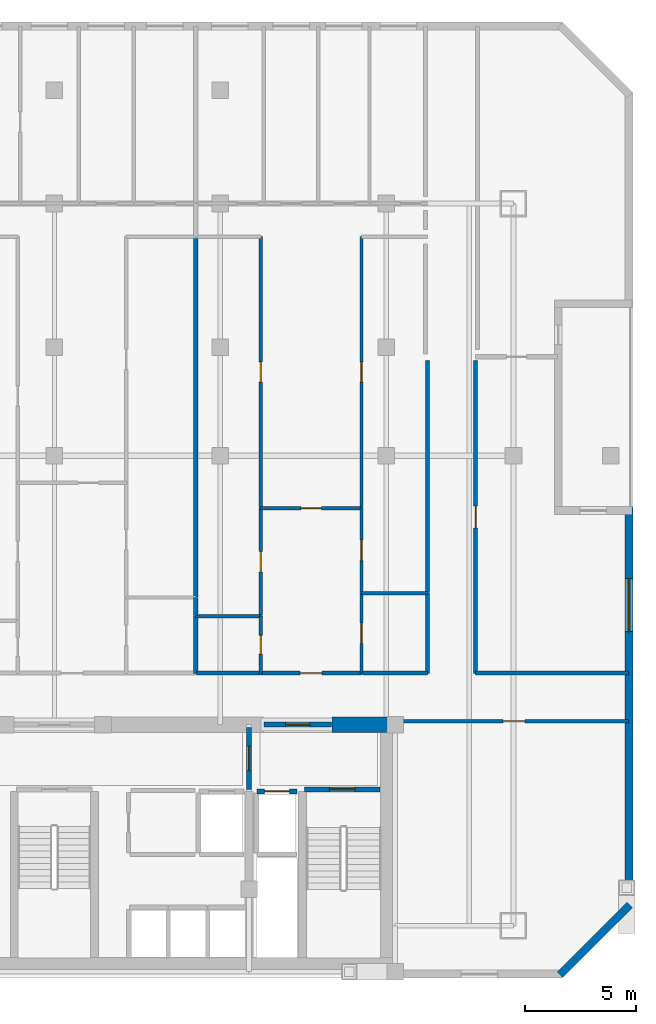
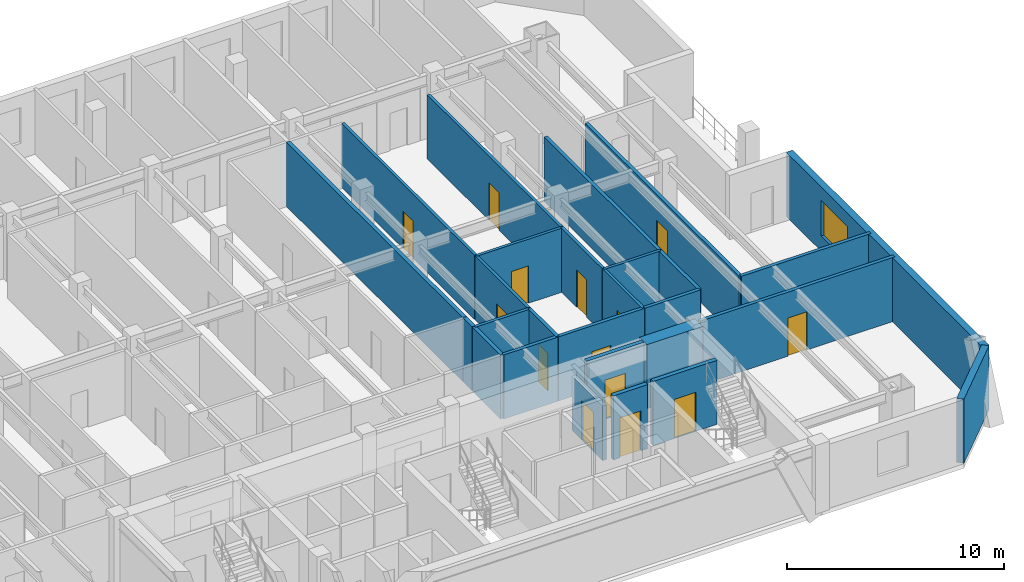
# One storey, part 5 of 10: 27 walls, 14 doors, 1 window, 15 openings.
"""IFC4 building model written with IfcOpenShell, lengths in metres."""

from ifc_helpers import new_model, si_unit, direction, frame, frame_2d, origin, place, context, subcontext, project, spatial, rectangle, extrude, material, layer, layer_set, type_object, element, fill, save


model = new_model("IFC4")

# Units and contexts
model_context = context("Model", 3, precision=1e-05, world=origin(), true_north=direction((0.0, 1.0)))
body_context = subcontext(model_context, "Body", "Model", "MODEL_VIEW")
ifc_project = project(units=[si_unit("LENGTHUNIT", "METRE"), si_unit("AREAUNIT", "SQUARE_METRE"), si_unit("VOLUMEUNIT", "CUBIC_METRE"), si_unit("PLANEANGLEUNIT", "RADIAN"), si_unit("MASSUNIT", "GRAM", prefix="KILO")], contexts=[model_context])

# Site, building, storey
site_placement = place(None, origin())
site = spatial("IfcSite", under=ifc_project, at=site_placement, CompositionType="ELEMENT")
building_placement = place(site_placement, origin())
building = spatial("IfcBuilding", under=site, at=building_placement, Name="Ventersveld Concourse Tower", CompositionType="ELEMENT")
storey_placement = place(building_placement, frame((0.0, 0.0, 123.39990234375)))
storey = spatial("IfcBuildingStorey", under=building, at=storey_placement, Name="L30", CompositionType="ELEMENT", Elevation=123.39990234375)

# Wall
ifc_material_1 = material(Name="Concrete C60/75", Category="concrete")
ifc_layer_1 = layer(ifc_material_1, 0.699951171875)
ifc_layer_set_1 = layer_set([ifc_layer_1], Name="Concrete C60/75")
wall_type_1 = type_object("IfcWallType", Name="WL-CORE-700", PredefinedType="SHEAR", material=ifc_layer_set_1)
wall_1_placement = place(storey_placement, frame((41.300048828125, 11.449951171875, 0.0), z_axis=(0.0, 0.0, 1.0), x_axis=(1.0, 0.0, 0.0)))
element("IfcWall", 1, at=wall_1_placement, inside=storey, type_object=wall_type_1, Name="L30 Rear Core North Shear Wall NE", PredefinedType="SHEAR", context=body_context, shape_type="SweptSolid", body=[
    extrude(rectangle(XDim=2.949951171875, YDim=0.699951171875, at=frame_2d((1.47509765625, 0.0))), origin(), (0.0, 0.0, 1.0), 3.60009765625),
])

# Wall, opening, door
ifc_material_2 = material(Name="Fire-rated autoclaved aerated masonry blockwork", Category="masonry")
ifc_layer_2 = layer(ifc_material_2, 0.179931640625)
ifc_layer_set_2 = layer_set([ifc_layer_2], Name="Fire-rated autoclaved aerated masonry blockwork")
wall_type_2 = type_object("IfcWallType", Name="WL-CORR-180", PredefinedType="PARTITIONING", material=ifc_layer_set_2)
wall_2_placement = place(storey_placement, frame((44.35498046875, 11.60009765625, 0.0), z_axis=(0.0, 0.0, 1.0), x_axis=(1.0, 0.0, 0.0)))
wall_2 = element("IfcWall", 2, at=wall_2_placement, inside=storey, type_object=wall_type_2, Name="L30 Interior Partition SP-L30-SE-OFF-SP-L30-COR", PredefinedType="PARTITIONING", context=body_context, shape_type="SweptSolid", body=[
    extrude(rectangle(XDim=10.3349609375, YDim=0.179931640625, at=frame_2d((5.16748046875, 0.0))), origin(), (0.0, 0.0, 1.0), 3.60009765625),
])
opening_1_placement = place(wall_2_placement, frame((4.66748046875, 0.0, 0.0)))
opening_1 = element("IfcOpeningElement", 3, at=opening_1_placement, cuts=wall_2, Name="Opening FD3", PredefinedType="OPENING", context=body_context, shape_type="SweptSolid", body=[
    extrude(rectangle(XDim=1.0, YDim=2.14990234375, at=frame_2d((0.5, 1.074951171875))), frame((0.0, 0.10009765625, 0.0), z_axis=(0.0, -1.0, 0.0), x_axis=(1.0, 0.0, 0.0)), (0.0, 0.0, 1.0), 0.199951171875),
])
ifc_material_3 = material(Name="Solid-core hardwood veneer timber", Category="wood")
door_type_1 = type_object("IfcDoorType", Name="DR-FLAT-100", OperationType="NOTDEFINED", PredefinedType="DOOR", material=ifc_material_3)
door_1_placement = place(opening_1_placement, origin())
door_1 = element("IfcDoor", 4, at=door_1_placement, inside=storey, type_object=door_type_1, Name="L30 Interior Door SP-L30-SE-OFF to SP-L30-COR (D-L30-1492)", OperationType="SINGLE_SWING_RIGHT", OverallHeight=2.14990234375, OverallWidth=1.0, PredefinedType="DOOR", context=body_context, shape_type="SweptSolid", body=[
    extrude(rectangle(XDim=1.0, YDim=2.14990234375, at=frame_2d((0.5, 1.074951171875))), frame((0.0, 0.02490234375, 0.0), z_axis=(0.0, -1.0, 0.0), x_axis=(1.0, 0.0, 0.0)), (0.0, 0.0, 1.0), 0.050048828125),
])
fill(opening_1, door_1)

wall_3_placement = place(storey_placement, frame((47.7900390625, 13.764892578125, 0.0), z_axis=(0.0, 0.0, 1.0), x_axis=(0.0, 1.0, 0.0)))
wall_3 = element("IfcWall", 5, at=wall_3_placement, inside=storey, type_object=wall_type_2, Name="L30 Interior Partition SP-L30-COR-SP-L30-NELNG1", PredefinedType="PARTITIONING", context=body_context, shape_type="SweptSolid", body=[
    extrude(rectangle(XDim=14.130126953125, YDim=0.179931640625, at=frame_2d((7.06494140625, 0.0))), origin(), (0.0, 0.0, 1.0), 3.60009765625),
])
opening_2_placement = place(wall_3_placement, frame((6.56494140625, 0.0, 0.0)))
opening_2 = element("IfcOpeningElement", 6, at=opening_2_placement, cuts=wall_3, Name="Opening FD3", PredefinedType="OPENING", context=body_context, shape_type="SweptSolid", body=[
    extrude(rectangle(XDim=1.0, YDim=2.14990234375, at=frame_2d((0.5, 1.074951171875))), frame((0.0, 0.10009765625, 0.0), z_axis=(0.0, -1.0, 0.0), x_axis=(1.0, 0.0, 0.0)), (0.0, 0.0, 1.0), 0.199951171875),
])
door_2_placement = place(opening_2_placement, origin())
door_2 = element("IfcDoor", 7, at=door_2_placement, inside=storey, type_object=door_type_1, Name="L30 Interior Door SP-L30-COR to SP-L30-NELNG1 (D-L30-1494)", OperationType="SINGLE_SWING_RIGHT", OverallHeight=2.14990234375, OverallWidth=1.0, PredefinedType="DOOR", context=body_context, shape_type="SweptSolid", body=[
    extrude(rectangle(XDim=1.0, YDim=2.14990234375, at=frame_2d((0.5, 1.074951171875))), frame((0.0, 0.02490234375, 0.0), z_axis=(0.0, -1.0, 0.0), x_axis=(1.0, 0.0, 0.0)), (0.0, 0.0, 1.0), 0.050048828125),
])
fill(opening_2, door_2)

# Wall
wall_4_placement = place(storey_placement, frame((47.784912109375, 13.77001953125, 0.0), z_axis=(0.0, 0.0, 1.0), x_axis=(1.0, 0.0, 0.0)))
element("IfcWall", 8, at=wall_4_placement, inside=storey, type_object=wall_type_2, Name="L30 Interior Partition SP-L30-COR-SP-L30-NELNG1", PredefinedType="PARTITIONING", context=body_context, shape_type="SweptSolid", body=[
    extrude(rectangle(XDim=6.905029296875, YDim=0.179931640625, at=frame_2d((3.45263671875, 0.0))), origin(), (0.0, 0.0, 1.0), 3.60009765625),
])

# Wall, opening, door
wall_5_placement = place(storey_placement, frame((38.074951171875, 13.77001953125, 0.0), z_axis=(0.0, 0.0, 1.0), x_axis=(1.0, 0.0, 0.0)))
wall_5 = element("IfcWall", 9, at=wall_5_placement, inside=storey, type_object=wall_type_2, Name="L30 Interior Partition SP-L30-COR-SP-L30-30N3-FOY", PredefinedType="PARTITIONING", context=body_context, shape_type="SweptSolid", body=[
    extrude(rectangle(XDim=4.5615234375, YDim=0.179931640625, at=frame_2d((2.28076171875, 0.0))), origin(), (0.0, 0.0, 1.0), 3.60009765625),
])
opening_3_placement = place(wall_5_placement, frame((1.78076171875, 0.0, 0.0)))
opening_3 = element("IfcOpeningElement", 10, at=opening_3_placement, cuts=wall_5, Name="Opening FD3", PredefinedType="OPENING", context=body_context, shape_type="SweptSolid", body=[
    extrude(rectangle(XDim=1.0, YDim=2.14990234375, at=frame_2d((0.5, 1.074951171875))), frame((0.0, 0.10009765625, 0.0), z_axis=(0.0, -1.0, 0.0), x_axis=(1.0, 0.0, 0.0)), (0.0, 0.0, 1.0), 0.199951171875),
])
door_3_placement = place(opening_3_placement, origin())
door_3 = element("IfcDoor", 11, at=door_3_placement, inside=storey, type_object=door_type_1, Name="L30 Interior Door SP-L30-COR to SP-L30-30N3-FOY (FD-L30-1497)", OperationType="SINGLE_SWING_LEFT", OverallHeight=2.14990234375, OverallWidth=1.0, PredefinedType="DOOR", context=body_context, shape_type="SweptSolid", body=[
    extrude(rectangle(XDim=1.0, YDim=2.14990234375, at=frame_2d((0.5, 1.074951171875))), frame((0.0, 0.02490234375, 0.0), z_axis=(0.0, -1.0, 0.0), x_axis=(1.0, 0.0, 0.0)), (0.0, 0.0, 1.0), 0.050048828125),
])
fill(opening_3, door_3)

# Walls
wall_6_placement = place(storey_placement, frame((35.17919921875, 13.77001953125, 0.0), z_axis=(0.0, 0.0, 1.0), x_axis=(1.0, 0.0, 0.0)))
element("IfcWall", 12, at=wall_6_placement, inside=storey, type_object=wall_type_2, Name="L30 Interior Partition SP-L30-COR-SP-L30-30N3-BATH", PredefinedType="PARTITIONING", context=body_context, shape_type="SweptSolid", body=[
    extrude(rectangle(XDim=2.86572265625, YDim=0.179931640625, at=frame_2d((1.432861328125, 0.0))), origin(), (0.0, 0.0, 1.0), 3.60009765625),
])
wall_7_placement = place(storey_placement, frame((45.610107421875, 13.764892578125, 0.0), z_axis=(0.0, 0.0, 1.0), x_axis=(0.0, 1.0, 0.0)))
element("IfcWall", 13, at=wall_7_placement, inside=storey, type_object=wall_type_2, Name="L30 Interior Partition SP-L30-COR-SP-L30-30N3-KIT", PredefinedType="PARTITIONING", context=body_context, shape_type="SweptSolid", body=[
    extrude(rectangle(XDim=3.62060546875, YDim=0.179931640625, at=frame_2d((1.810302734375, 0.0))), origin(), (0.0, 0.0, 1.0), 3.60009765625),
])
wall_8_placement = place(storey_placement, frame((42.66650390625, 13.77001953125, 0.0), z_axis=(0.0, 0.0, 1.0), x_axis=(1.0, 0.0, 0.0)))
element("IfcWall", 14, at=wall_8_placement, inside=storey, type_object=wall_type_2, Name="L30 Interior Partition SP-L30-COR-SP-L30-30N3-KIT", PredefinedType="PARTITIONING", context=body_context, shape_type="SweptSolid", body=[
    extrude(rectangle(XDim=2.948486328125, YDim=0.179931640625, at=frame_2d((1.47412109375, 0.0))), origin(), (0.0, 0.0, 1.0), 3.60009765625),
])
wall_9_placement = place(storey_placement, frame((45.610107421875, 17.415283203125, 0.0), z_axis=(0.0, 0.0, 1.0), x_axis=(0.0, 1.0, 0.0)))
element("IfcWall", 15, at=wall_9_placement, inside=storey, type_object=wall_type_2, Name="L30 Interior Partition SP-L30-COR-SP-L30-30N3-DENR", PredefinedType="PARTITIONING", context=body_context, shape_type="SweptSolid", body=[
    extrude(rectangle(XDim=10.479736328125, YDim=0.179931640625, at=frame_2d((5.23974609375, 0.0))), origin(), (0.0, 0.0, 1.0), 3.60009765625),
])
ifc_layer_3 = layer(ifc_material_2, 0.199951171875)
ifc_layer_set_3 = layer_set([ifc_layer_3], Name="Fire-rated autoclaved aerated masonry blockwork")
wall_type_3 = type_object("IfcWallType", Name="WL-DEMISE-200", PredefinedType="PARTITIONING", material=ifc_layer_set_3)
wall_10_placement = place(storey_placement, frame((35.144287109375, 13.764892578125, 0.0), z_axis=(0.0, 0.0, 1.0), x_axis=(0.0, 1.0, 0.0)))
element("IfcWall", 16, at=wall_10_placement, inside=storey, type_object=wall_type_3, Name="L30 Interior Partition SP-L30-30N2-KIT-SP-L30-30N3-BATH", PredefinedType="PARTITIONING", context=body_context, shape_type="SweptSolid", body=[
    extrude(rectangle(XDim=2.5849609375, YDim=0.199951171875, at=frame_2d((1.29248046875, 0.0))), origin(), (0.0, 0.0, 1.0), 3.60009765625),
])
wall_11_placement = place(storey_placement, frame((35.144287109375, 16.3798828125, 0.0), z_axis=(0.0, 0.0, 1.0), x_axis=(0.0, 1.0, 0.0)))
element("IfcWall", 17, at=wall_11_placement, inside=storey, type_object=wall_type_3, Name="L30 Interior Partition SP-L30-30N2-KIT-SP-L30-30N3-OFFL0", PredefinedType="PARTITIONING", context=body_context, shape_type="SweptSolid", body=[
    extrude(rectangle(XDim=0.814697265625, YDim=0.199951171875, at=frame_2d((0.4072265625, 0.0))), origin(), (0.0, 0.0, 1.0), 3.60009765625),
])
wall_12_placement = place(storey_placement, frame((35.144287109375, 17.224609375, 0.0), z_axis=(0.0, 0.0, 1.0), x_axis=(0.0, 1.0, 0.0)))
element("IfcWall", 18, at=wall_12_placement, inside=storey, type_object=wall_type_3, Name="L30 Interior Partition SP-L30-30N2-SEMR1-SP-L30-30N3-OFFL0", PredefinedType="PARTITIONING", context=body_context, shape_type="SweptSolid", body=[
    extrude(rectangle(XDim=16.240478515625, YDim=0.199951171875, at=frame_2d((8.1201171875, 0.0))), origin(), (0.0, 0.0, 1.0), 3.60009765625),
])

# Wall, opening, door
ifc_layer_4 = layer(ifc_material_2, 0.219970703125)
ifc_layer_set_4 = layer_set([ifc_layer_4], Name="Fire-rated autoclaved aerated masonry blockwork")
wall_type_4 = type_object("IfcWallType", Name="WL-HOIST-220", PredefinedType="SOLIDWALL", material=ifc_layer_set_4)
wall_13_placement = place(storey_placement, frame((37.89990234375, 8.429931640625, 0.0), z_axis=(0.0, 0.0, 1.0), x_axis=(1.0, 0.0, 0.0)))
wall_13 = element("IfcWall", 19, at=wall_13_placement, inside=storey, type_object=wall_type_4, Name="L30 Lift Hoistway Front Wall FFL-02", PredefinedType="SOLIDWALL", context=body_context, shape_type="SweptSolid", body=[
    extrude(rectangle(XDim=1.820068359375, YDim=0.219970703125, at=frame_2d((0.91015625, 0.0))), origin(), (0.0, 0.0, 1.0), 3.60009765625),
])
opening_4_placement = place(wall_13_placement, frame((0.35009765625, 0.0, 0.0)))
opening_4 = element("IfcOpeningElement", 20, at=opening_4_placement, cuts=wall_13, Name="Opening LD1", PredefinedType="OPENING", context=body_context, shape_type="SweptSolid", body=[
    extrude(rectangle(XDim=1.1201171875, YDim=2.25, at=frame_2d((0.56005859375, 1.125))), frame((0.0, 0.1201171875, 0.0), z_axis=(0.0, -1.0, 0.0), x_axis=(1.0, 0.0, 0.0)), (0.0, 0.0, 1.0), 0.239990234375),
])
ifc_material_4 = material(Name="Brushed stainless steel 316", Category="steel")
door_type_2 = type_object("IfcDoorType", Name="LD-FF-112", OperationType="SLIDING_TO_LEFT", PredefinedType="DOOR", material=ifc_material_4)
door_4_placement = place(opening_4_placement, origin())
door_4 = element("IfcDoor", 21, at=door_4_placement, inside=storey, type_object=door_type_2, Name="L30 Lift landing door FFL-02 (LD-L30-FFL-02)", OperationType="SLIDING_TO_RIGHT", OverallHeight=2.25, OverallWidth=1.1201171875, PredefinedType="DOOR", context=body_context, shape_type="SweptSolid", body=[
    extrude(rectangle(XDim=1.1201171875, YDim=2.25, at=frame_2d((0.56005859375, 1.125))), frame((0.0, 0.02490234375, 0.0), z_axis=(0.0, -1.0, 0.0), x_axis=(1.0, 0.0, 0.0)), (0.0, 0.0, 1.0), 0.050048828125),
])
fill(opening_4, door_4)

wall_14_placement = place(storey_placement, frame((40.06005859375, 8.52001953125, 0.0), z_axis=(0.0, 0.0, 1.0), x_axis=(1.0, 0.0, 0.0)))
wall_14 = element("IfcWall", 22, at=wall_14_placement, inside=storey, type_object=wall_type_4, Name="L30 Escape Stair ST02 Fire Wall", PredefinedType="SOLIDWALL", context=body_context, shape_type="SweptSolid", body=[
    extrude(rectangle(XDim=3.39990234375, YDim=0.219970703125, at=frame_2d((1.699951171875, 0.0))), origin(), (0.0, 0.0, 1.0), 3.60009765625),
])
opening_5_placement = place(wall_14_placement, frame((1.125, 0.0, 0.0)))
opening_5 = element("IfcOpeningElement", 23, at=opening_5_placement, cuts=wall_14, Name="Opening FD1", PredefinedType="OPENING", context=body_context, shape_type="SweptSolid", body=[
    extrude(rectangle(XDim=1.14990234375, YDim=2.199951171875, at=frame_2d((0.574951171875, 1.10009765625))), frame((0.0, 0.1201171875, 0.0), z_axis=(0.0, -1.0, 0.0), x_axis=(1.0, 0.0, 0.0)), (0.0, 0.0, 1.0), 0.239990234375),
])
ifc_material_5 = material(Name="Galvanised painted steel", Category="steel")
door_type_3 = type_object("IfcDoorType", Name="DR-STAIR-115", OperationType="NOTDEFINED", PredefinedType="DOOR", material=ifc_material_5)
door_5_placement = place(opening_5_placement, origin())
door_5 = element("IfcDoor", 24, at=door_5_placement, inside=storey, type_object=door_type_3, Name="L30 Escape Stair Door ST02 (SD-L30-1483)", OperationType="SINGLE_SWING_RIGHT", OverallHeight=2.199951171875, OverallWidth=1.14990234375, PredefinedType="DOOR", context=body_context, shape_type="SweptSolid", body=[
    extrude(rectangle(XDim=1.14990234375, YDim=2.199951171875, at=frame_2d((0.574951171875, 1.10009765625))), frame((0.0, 0.02490234375, 0.0), z_axis=(0.0, -1.0, 0.0), x_axis=(1.0, 0.0, 0.0)), (0.0, 0.0, 1.0), 0.050048828125),
])
fill(opening_5, door_5)

wall_15_placement = place(storey_placement, frame((37.550048828125, 8.52001953125, 0.0), z_axis=(0.0, 0.0, 1.0), x_axis=(0.0, 1.0, 0.0)))
wall_15 = element("IfcWall", 25, at=wall_15_placement, inside=storey, type_object=wall_type_4, Name="L30 Firefighting Lobby Smoke-Stop Wall FFLE-SEP", PredefinedType="SOLIDWALL", context=body_context, shape_type="SweptSolid", body=[
    extrude(rectangle(XDim=2.800048828125, YDim=0.219970703125, at=frame_2d((1.39990234375, 0.0))), origin(), (0.0, 0.0, 1.0), 3.0556640625),
])
opening_6_placement = place(wall_15_placement, frame((0.85009765625, 0.0, 0.0)))
opening_6 = element("IfcOpeningElement", 26, at=opening_6_placement, cuts=wall_15, Name="Opening FD2", PredefinedType="OPENING", context=body_context, shape_type="SweptSolid", body=[
    extrude(rectangle(XDim=1.10009765625, YDim=2.199951171875, at=frame_2d((0.550048828125, 1.10009765625))), frame((0.0, 0.1201171875, 0.0), z_axis=(0.0, -1.0, 0.0), x_axis=(1.0, 0.0, 0.0)), (0.0, 0.0, 1.0), 0.239990234375),
])
door_type_4 = type_object("IfcDoorType", Name="DR-FFL-110", OperationType="NOTDEFINED", PredefinedType="DOOR", material=ifc_material_5)
door_6_placement = place(opening_6_placement, origin())
door_6 = element("IfcDoor", 27, at=door_6_placement, inside=storey, type_object=door_type_4, Name="L30 Firefighting Lobby Door FFLE-SEP (FD-L30-1486)", OperationType="SINGLE_SWING_RIGHT", OverallHeight=2.199951171875, OverallWidth=1.10009765625, PredefinedType="DOOR", context=body_context, shape_type="SweptSolid", body=[
    extrude(rectangle(XDim=1.10009765625, YDim=2.199951171875, at=frame_2d((0.550048828125, 1.10009765625))), frame((0.0, 0.02490234375, 0.0), z_axis=(0.0, -1.0, 0.0), x_axis=(1.0, 0.0, 0.0)), (0.0, 0.0, 1.0), 0.050048828125),
])
fill(opening_6, door_6)

wall_16_placement = place(storey_placement, frame((38.22998046875, 11.449951171875, 0.0), z_axis=(0.0, 0.0, 1.0), x_axis=(1.0, 0.0, 0.0)))
wall_16 = element("IfcWall", 28, at=wall_16_placement, inside=storey, type_object=wall_type_4, Name="L30 Core North Fire Portal FFLE-OUT", PredefinedType="SOLIDWALL", context=body_context, shape_type="SweptSolid", body=[
    extrude(rectangle(XDim=3.0400390625, YDim=0.219970703125, at=frame_2d((1.52001953125, 0.0))), origin(), (0.0, 0.0, 1.0), 3.60009765625),
])
opening_7_placement = place(wall_16_placement, frame((0.969970703125, 0.0, 0.0)))
opening_7 = element("IfcOpeningElement", 29, at=opening_7_placement, cuts=wall_16, Name="Opening FD2", PredefinedType="OPENING", context=body_context, shape_type="SweptSolid", body=[
    extrude(rectangle(XDim=1.10009765625, YDim=2.199951171875, at=frame_2d((0.550048828125, 1.10009765625))), frame((0.0, 0.1201171875, 0.0), z_axis=(0.0, -1.0, 0.0), x_axis=(1.0, 0.0, 0.0)), (0.0, 0.0, 1.0), 0.239990234375),
])
door_7_placement = place(opening_7_placement, origin())
door_7 = element("IfcDoor", 30, at=door_7_placement, inside=storey, type_object=door_type_4, Name="L30 Core Lobby Fire Door FFLE-OUT (FD-L30-1489)", OperationType="SINGLE_SWING_LEFT", OverallHeight=2.199951171875, OverallWidth=1.10009765625, PredefinedType="DOOR", context=body_context, shape_type="SweptSolid", body=[
    extrude(rectangle(XDim=1.10009765625, YDim=2.199951171875, at=frame_2d((0.550048828125, 1.10009765625))), frame((0.0, 0.02490234375, 0.0), z_axis=(0.0, -1.0, 0.0), x_axis=(1.0, 0.0, 0.0)), (0.0, 0.0, 1.0), 0.050048828125),
])
fill(opening_7, door_7)

ifc_material_6 = material(Name="Autoclaved aerated masonry blockwork", Category="masonry")
ifc_layer_5 = layer(ifc_material_6, 0.14990234375)
ifc_layer_set_5 = layer_set([ifc_layer_5], Name="Autoclaved aerated masonry blockwork")
wall_type_5 = type_object("IfcWallType", Name="WL-INT-150", PredefinedType="PARTITIONING", material=ifc_layer_set_5)
wall_17_placement = place(storey_placement, frame((38.074951171875, 21.230712890625, 0.0), z_axis=(0.0, 0.0, 1.0), x_axis=(1.0, 0.0, 0.0)))
wall_17 = element("IfcWall", 31, at=wall_17_placement, inside=storey, type_object=wall_type_5, Name="L30 Interior Partition SP-L30-30N3-FOY-SP-L30-30N3-LIV", PredefinedType="PARTITIONING", context=body_context, shape_type="SweptSolid", body=[
    extrude(rectangle(XDim=4.5615234375, YDim=0.14990234375, at=frame_2d((2.28076171875, 0.0))), origin(), (0.0, 0.0, 1.0), 3.60009765625),
])
opening_8_placement = place(wall_17_placement, frame((1.82080078125, 0.0, 0.0)))
opening_8 = element("IfcOpeningElement", 32, at=opening_8_placement, cuts=wall_17, Name="Opening ID1", PredefinedType="OPENING", context=body_context, shape_type="SweptSolid", body=[
    extrude(rectangle(XDim=0.919921875, YDim=2.10009765625, at=frame_2d((0.4599609375, 1.050048828125))), frame((0.0, 0.0849609375, 0.0), z_axis=(0.0, -1.0, 0.0), x_axis=(1.0, 0.0, 0.0)), (0.0, 0.0, 1.0), 0.169921875),
])
door_type_5 = type_object("IfcDoorType", Name="DR-ROOM-092", OperationType="NOTDEFINED", PredefinedType="DOOR", material=ifc_material_3)
door_8_placement = place(opening_8_placement, origin())
door_8 = element("IfcDoor", 33, at=door_8_placement, inside=storey, type_object=door_type_5, Name="L30 Interior Door SP-L30-30N3-FOY to SP-L30-30N3-LIV (D-L30-1522)", OperationType="SINGLE_SWING_RIGHT", OverallHeight=2.10009765625, OverallWidth=0.919921875, PredefinedType="DOOR", context=body_context, shape_type="SweptSolid", body=[
    extrude(rectangle(XDim=0.919921875, YDim=2.10009765625, at=frame_2d((0.4599609375, 1.050048828125))), frame((0.0, 0.02490234375, 0.0), z_axis=(0.0, -1.0, 0.0), x_axis=(1.0, 0.0, 0.0)), (0.0, 0.0, 1.0), 0.050048828125),
])
fill(opening_8, door_8)

wall_18_placement = place(storey_placement, frame((38.080078125, 16.3798828125, 0.0), z_axis=(0.0, 0.0, 1.0), x_axis=(0.0, 1.0, 0.0)))
wall_18 = element("IfcWall", 34, at=wall_18_placement, inside=storey, type_object=wall_type_5, Name="L30 Interior Partition SP-L30-30N3-FOY-SP-L30-30N3-OFFL0", PredefinedType="PARTITIONING", context=body_context, shape_type="SweptSolid", body=[
    extrude(rectangle(XDim=4.855712890625, YDim=0.14990234375, at=frame_2d((2.427734375, 0.0))), origin(), (0.0, 0.0, 1.0), 3.60009765625),
])
opening_9_placement = place(wall_18_placement, frame((1.9677734375, 0.0, 0.0)))
opening_9 = element("IfcOpeningElement", 35, at=opening_9_placement, cuts=wall_18, Name="Opening ID1", PredefinedType="OPENING", context=body_context, shape_type="SweptSolid", body=[
    extrude(rectangle(XDim=0.919921875, YDim=2.10009765625, at=frame_2d((0.4599609375, 1.050048828125))), frame((0.0, 0.0849609375, 0.0), z_axis=(0.0, -1.0, 0.0), x_axis=(1.0, 0.0, 0.0)), (0.0, 0.0, 1.0), 0.169921875),
])
door_9_placement = place(opening_9_placement, origin())
door_9 = element("IfcDoor", 36, at=door_9_placement, inside=storey, type_object=door_type_5, Name="L30 Interior Door SP-L30-30N3-FOY to SP-L30-30N3-OFFL0 (D-L30-1524)", OperationType="SINGLE_SWING_RIGHT", OverallHeight=2.10009765625, OverallWidth=0.919921875, PredefinedType="DOOR", context=body_context, shape_type="SweptSolid", body=[
    extrude(rectangle(XDim=0.919921875, YDim=2.10009765625, at=frame_2d((0.4599609375, 1.050048828125))), frame((0.0, 0.02490234375, 0.0), z_axis=(0.0, -1.0, 0.0), x_axis=(1.0, 0.0, 0.0)), (0.0, 0.0, 1.0), 0.050048828125),
])
fill(opening_9, door_9)

wall_19_placement = place(storey_placement, frame((42.631591796875, 13.764892578125, 0.0), z_axis=(0.0, 0.0, 1.0), x_axis=(0.0, 1.0, 0.0)))
wall_19 = element("IfcWall", 37, at=wall_19_placement, inside=storey, type_object=wall_type_5, Name="L30 Interior Partition SP-L30-30N3-FOY-SP-L30-30N3-KIT", PredefinedType="PARTITIONING", context=body_context, shape_type="SweptSolid", body=[
    extrude(rectangle(XDim=3.62060546875, YDim=0.14990234375, at=frame_2d((1.810302734375, 0.0))), origin(), (0.0, 0.0, 1.0), 3.60009765625),
])
opening_10_placement = place(wall_19_placement, frame((1.35009765625, 0.0, 0.0)))
opening_10 = element("IfcOpeningElement", 38, at=opening_10_placement, cuts=wall_19, Name="Opening ID1", PredefinedType="OPENING", context=body_context, shape_type="SweptSolid", body=[
    extrude(rectangle(XDim=0.919921875, YDim=2.10009765625, at=frame_2d((0.4599609375, 1.050048828125))), frame((0.0, 0.0849609375, 0.0), z_axis=(0.0, -1.0, 0.0), x_axis=(1.0, 0.0, 0.0)), (0.0, 0.0, 1.0), 0.169921875),
])
door_10_placement = place(opening_10_placement, origin())
door_10 = element("IfcDoor", 39, at=door_10_placement, inside=storey, type_object=door_type_5, Name="L30 Interior Door SP-L30-30N3-FOY to SP-L30-30N3-KIT (D-L30-1525)", OperationType="SINGLE_SWING_LEFT", OverallHeight=2.10009765625, OverallWidth=0.919921875, PredefinedType="DOOR", context=body_context, shape_type="SweptSolid", body=[
    extrude(rectangle(XDim=0.919921875, YDim=2.10009765625, at=frame_2d((0.4599609375, 1.050048828125))), frame((0.0, 0.02490234375, 0.0), z_axis=(0.0, -1.0, 0.0), x_axis=(1.0, 0.0, 0.0)), (0.0, 0.0, 1.0), 0.050048828125),
])
fill(opening_10, door_10)

wall_20_placement = place(storey_placement, frame((42.631591796875, 17.415283203125, 0.0), z_axis=(0.0, 0.0, 1.0), x_axis=(0.0, 1.0, 0.0)))
wall_20 = element("IfcWall", 40, at=wall_20_placement, inside=storey, type_object=wall_type_5, Name="L30 Interior Partition SP-L30-30N3-FOY-SP-L30-30N3-DENR", PredefinedType="PARTITIONING", context=body_context, shape_type="SweptSolid", body=[
    extrude(rectangle(XDim=3.8203125, YDim=0.14990234375, at=frame_2d((1.91015625, 0.0))), origin(), (0.0, 0.0, 1.0), 3.60009765625),
])
opening_11_placement = place(wall_20_placement, frame((1.4501953125, 0.0, 0.0)))
opening_11 = element("IfcOpeningElement", 41, at=opening_11_placement, cuts=wall_20, Name="Opening ID1", PredefinedType="OPENING", context=body_context, shape_type="SweptSolid", body=[
    extrude(rectangle(XDim=0.919921875, YDim=2.10009765625, at=frame_2d((0.4599609375, 1.050048828125))), frame((0.0, 0.0849609375, 0.0), z_axis=(0.0, -1.0, 0.0), x_axis=(1.0, 0.0, 0.0)), (0.0, 0.0, 1.0), 0.169921875),
])
door_11_placement = place(opening_11_placement, origin())
door_11 = element("IfcDoor", 42, at=door_11_placement, inside=storey, type_object=door_type_5, Name="L30 Interior Door SP-L30-30N3-FOY to SP-L30-30N3-DENR (D-L30-1526)", OperationType="SINGLE_SWING_RIGHT", OverallHeight=2.10009765625, OverallWidth=0.919921875, PredefinedType="DOOR", context=body_context, shape_type="SweptSolid", body=[
    extrude(rectangle(XDim=0.919921875, YDim=2.10009765625, at=frame_2d((0.4599609375, 1.050048828125))), frame((0.0, 0.02490234375, 0.0), z_axis=(0.0, -1.0, 0.0), x_axis=(1.0, 0.0, 0.0)), (0.0, 0.0, 1.0), 0.050048828125),
])
fill(opening_11, door_11)

wall_21_placement = place(storey_placement, frame((38.080078125, 21.265625, 0.0), z_axis=(0.0, 0.0, 1.0), x_axis=(0.0, 1.0, 0.0)))
wall_21 = element("IfcWall", 43, at=wall_21_placement, inside=storey, type_object=wall_type_5, Name="L30 Interior Partition SP-L30-30N3-LIV-SP-L30-30N3-OFFL0", PredefinedType="PARTITIONING", context=body_context, shape_type="SweptSolid", body=[
    extrude(rectangle(XDim=12.2392578125, YDim=0.14990234375, at=frame_2d((6.11962890625, 0.0))), origin(), (0.0, 0.0, 1.0), 3.60009765625),
])
opening_12_placement = place(wall_21_placement, frame((5.65966796875, 0.0, 0.0)))
opening_12 = element("IfcOpeningElement", 44, at=opening_12_placement, cuts=wall_21, Name="Opening ID1", PredefinedType="OPENING", context=body_context, shape_type="SweptSolid", body=[
    extrude(rectangle(XDim=0.919921875, YDim=2.10009765625, at=frame_2d((0.4599609375, 1.050048828125))), frame((0.0, 0.0849609375, 0.0), z_axis=(0.0, -1.0, 0.0), x_axis=(1.0, 0.0, 0.0)), (0.0, 0.0, 1.0), 0.169921875),
])
door_12_placement = place(opening_12_placement, origin())
door_12 = element("IfcDoor", 45, at=door_12_placement, inside=storey, type_object=door_type_5, Name="L30 Interior Door SP-L30-30N3-LIV to SP-L30-30N3-OFFL0 (D-L30-1527)", OperationType="SINGLE_SWING_LEFT", OverallHeight=2.10009765625, OverallWidth=0.919921875, PredefinedType="DOOR", context=body_context, shape_type="SweptSolid", body=[
    extrude(rectangle(XDim=0.919921875, YDim=2.10009765625, at=frame_2d((0.4599609375, 1.050048828125))), frame((0.0, 0.02490234375, 0.0), z_axis=(0.0, -1.0, 0.0), x_axis=(1.0, 0.0, 0.0)), (0.0, 0.0, 1.0), 0.050048828125),
])
fill(opening_12, door_12)

wall_22_placement = place(storey_placement, frame((42.631591796875, 21.265625, 0.0), z_axis=(0.0, 0.0, 1.0), x_axis=(0.0, 1.0, 0.0)))
wall_22 = element("IfcWall", 46, at=wall_22_placement, inside=storey, type_object=wall_type_5, Name="L30 Interior Partition SP-L30-30N3-LIV-SP-L30-30N3-DENR", PredefinedType="PARTITIONING", context=body_context, shape_type="SweptSolid", body=[
    extrude(rectangle(XDim=12.2392578125, YDim=0.14990234375, at=frame_2d((6.11962890625, 0.0))), origin(), (0.0, 0.0, 1.0), 3.60009765625),
])
opening_13_placement = place(wall_22_placement, frame((5.65966796875, 0.0, 0.0)))
opening_13 = element("IfcOpeningElement", 47, at=opening_13_placement, cuts=wall_22, Name="Opening ID1", PredefinedType="OPENING", context=body_context, shape_type="SweptSolid", body=[
    extrude(rectangle(XDim=0.919921875, YDim=2.10009765625, at=frame_2d((0.4599609375, 1.050048828125))), frame((0.0, 0.0849609375, 0.0), z_axis=(0.0, -1.0, 0.0), x_axis=(1.0, 0.0, 0.0)), (0.0, 0.0, 1.0), 0.169921875),
])
door_13_placement = place(opening_13_placement, origin())
door_13 = element("IfcDoor", 48, at=door_13_placement, inside=storey, type_object=door_type_5, Name="L30 Interior Door SP-L30-30N3-LIV to SP-L30-30N3-DENR (D-L30-1528)", OperationType="SINGLE_SWING_RIGHT", OverallHeight=2.10009765625, OverallWidth=0.919921875, PredefinedType="DOOR", context=body_context, shape_type="SweptSolid", body=[
    extrude(rectangle(XDim=0.919921875, YDim=2.10009765625, at=frame_2d((0.4599609375, 1.050048828125))), frame((0.0, 0.02490234375, 0.0), z_axis=(0.0, -1.0, 0.0), x_axis=(1.0, 0.0, 0.0)), (0.0, 0.0, 1.0), 0.050048828125),
])
fill(opening_13, door_13)

# Walls
wall_23_placement = place(storey_placement, frame((42.62646484375, 17.38037109375, 0.0), z_axis=(0.0, 0.0, 1.0), x_axis=(1.0, 0.0, 0.0)))
element("IfcWall", 49, at=wall_23_placement, inside=storey, type_object=wall_type_5, Name="L30 Interior Partition SP-L30-30N3-KIT-SP-L30-30N3-DENR", PredefinedType="PARTITIONING", context=body_context, shape_type="SweptSolid", body=[
    extrude(rectangle(XDim=2.988525390625, YDim=0.14990234375, at=frame_2d((1.494140625, 0.0))), origin(), (0.0, 0.0, 1.0), 3.60009765625),
])
ifc_material_7 = material(Name="Precast concrete C45/55", Category="concrete")
ifc_layer_6 = layer(ifc_material_7, 0.35009765625)
ifc_layer_set_6 = layer_set([ifc_layer_6], Name="Precast concrete C45/55")
wall_type_6 = type_object("IfcWallType", Name="WL-PREC-350", PredefinedType="SOLIDWALL", material=ifc_layer_set_6)
wall_24_placement = place(storey_placement, frame((51.6044921875, 0.152099609375, 0.0), z_axis=(0.0, 0.0, 1.0), x_axis=(0.707134240044, 0.707079321262, 0.0)))
element("IfcWall", 50, at=wall_24_placement, inside=storey, type_object=wall_type_6, Name="L30 Highveld Precast Facade Wall E02", PredefinedType="SOLIDWALL", context=body_context, shape_type="SweptSolid", body=[
    extrude(rectangle(XDim=4.445556640625, YDim=0.35009765625, at=frame_2d((2.22265625, 0.0))), origin(), (0.0, 0.0, 1.0), 3.60009765625),
])

# Wall, opening, window
wall_25_placement = place(storey_placement, frame((54.72509765625, 3.239990234375, 0.0), z_axis=(0.0, 0.0, 1.0), x_axis=(0.0, 1.0, 0.0)))
wall_25 = element("IfcWall", 51, at=wall_25_placement, inside=storey, type_object=wall_type_6, Name="L30 Highveld Precast Facade Wall E03", PredefinedType="SOLIDWALL", context=body_context, shape_type="SweptSolid", body=[
    extrude(rectangle(XDim=18.02001953125, YDim=0.35009765625, at=frame_2d((9.010009765625, 0.0))), origin(), (0.0, 0.0, 1.0), 3.60009765625),
])
opening_14_placement = place(wall_25_placement, frame((12.407470703125, 0.0, 0.85009765625)))
opening_14 = element("IfcOpeningElement", 52, at=opening_14_placement, cuts=wall_25, Name="Opening W5", PredefinedType="OPENING", context=body_context, shape_type="SweptSolid", body=[
    extrude(rectangle(XDim=2.39990234375, YDim=2.0, at=frame_2d((1.199951171875, 1.0))), frame((0.0, 0.18505859375, 0.0), z_axis=(0.0, -1.0, 0.0), x_axis=(1.0, 0.0, 0.0)), (0.0, 0.0, 1.0), 0.3701171875),
])
ifc_material_8 = material(Name="Tempered acoustic Low-E IGU", Category="glass")
window_type = type_object("IfcWindowType", Name="WIN-240x210", PartitioningType="SINGLE_PANEL", PredefinedType="WINDOW", material=ifc_material_8)
window_placement = place(opening_14_placement, origin())
window = element("IfcWindow", 53, at=window_placement, inside=storey, type_object=window_type, Name="L30 Punched Low-E Window W-0381", OverallHeight=2.0, OverallWidth=2.39990234375, PartitioningType="SINGLE_PANEL", PredefinedType="WINDOW", context=body_context, shape_type="SweptSolid", body=[
    extrude(rectangle(XDim=2.39990234375, YDim=2.0, at=frame_2d((1.199951171875, 1.0))), frame((0.0, 0.030029296875, 0.0), z_axis=(0.0, -1.0, 0.0), x_axis=(1.0, 0.0, 0.0)), (0.0, 0.0, 1.0), 0.06005859375),
])
fill(opening_14, window)

# Wall, opening, door
ifc_layer_7 = layer(ifc_material_6, 0.1650390625)
ifc_layer_set_7 = layer_set([ifc_layer_7], Name="Autoclaved aerated masonry blockwork")
wall_type_7 = type_object("IfcWallType", Name="WL-WET-165", PredefinedType="PLUMBINGWALL", material=ifc_layer_set_7)
wall_26_placement = place(storey_placement, frame((38.080078125, 13.764892578125, 0.0), z_axis=(0.0, 0.0, 1.0), x_axis=(0.0, 1.0, 0.0)))
wall_26 = element("IfcWall", 54, at=wall_26_placement, inside=storey, type_object=wall_type_7, Name="L30 Interior Partition SP-L30-30N3-FOY-SP-L30-30N3-BATH", PredefinedType="PLUMBINGWALL", context=body_context, shape_type="SweptSolid", body=[
    extrude(rectangle(XDim=2.5849609375, YDim=0.1650390625, at=frame_2d((1.29248046875, 0.0))), origin(), (0.0, 0.0, 1.0), 3.60009765625),
])
opening_15_placement = place(wall_26_placement, frame((0.867431640625, 0.0, 0.0)))
opening_15 = element("IfcOpeningElement", 55, at=opening_15_placement, cuts=wall_26, Name="Opening ID2", PredefinedType="OPENING", context=body_context, shape_type="SweptSolid", body=[
    extrude(rectangle(XDim=0.85009765625, YDim=2.10009765625, at=frame_2d((0.425048828125, 1.050048828125))), frame((0.0, 0.092529296875, 0.0), z_axis=(0.0, -1.0, 0.0), x_axis=(1.0, 0.0, 0.0)), (0.0, 0.0, 1.0), 0.18505859375),
])
door_type_6 = type_object("IfcDoorType", Name="DR-BATH-085", OperationType="NOTDEFINED", PredefinedType="DOOR", material=ifc_material_3)
door_14_placement = place(opening_15_placement, origin())
door_14 = element("IfcDoor", 56, at=door_14_placement, inside=storey, type_object=door_type_6, Name="L30 Interior Door SP-L30-30N3-FOY to SP-L30-30N3-BATH (D-L30-1523)", OperationType="SINGLE_SWING_LEFT", OverallHeight=2.10009765625, OverallWidth=0.85009765625, PredefinedType="DOOR", context=body_context, shape_type="SweptSolid", body=[
    extrude(rectangle(XDim=0.85009765625, YDim=2.10009765625, at=frame_2d((0.425048828125, 1.050048828125))), frame((0.0, 0.02490234375, 0.0), z_axis=(0.0, -1.0, 0.0), x_axis=(1.0, 0.0, 0.0)), (0.0, 0.0, 1.0), 0.050048828125),
])
fill(opening_15, door_14)

# Wall
wall_27_placement = place(storey_placement, frame((35.13916015625, 16.344970703125, 0.0), z_axis=(0.0, 0.0, 1.0), x_axis=(1.0, 0.0, 0.0)))
element("IfcWall", 57, at=wall_27_placement, inside=storey, type_object=wall_type_7, Name="L30 Interior Partition SP-L30-30N3-BATH-SP-L30-30N3-OFFL0", PredefinedType="PLUMBINGWALL", context=body_context, shape_type="SweptSolid", body=[
    extrude(rectangle(XDim=2.94580078125, YDim=0.1650390625, at=frame_2d((1.472900390625, 0.0))), origin(), (0.0, 0.0, 1.0), 3.60009765625),
])

save(model, "model.ifc")
